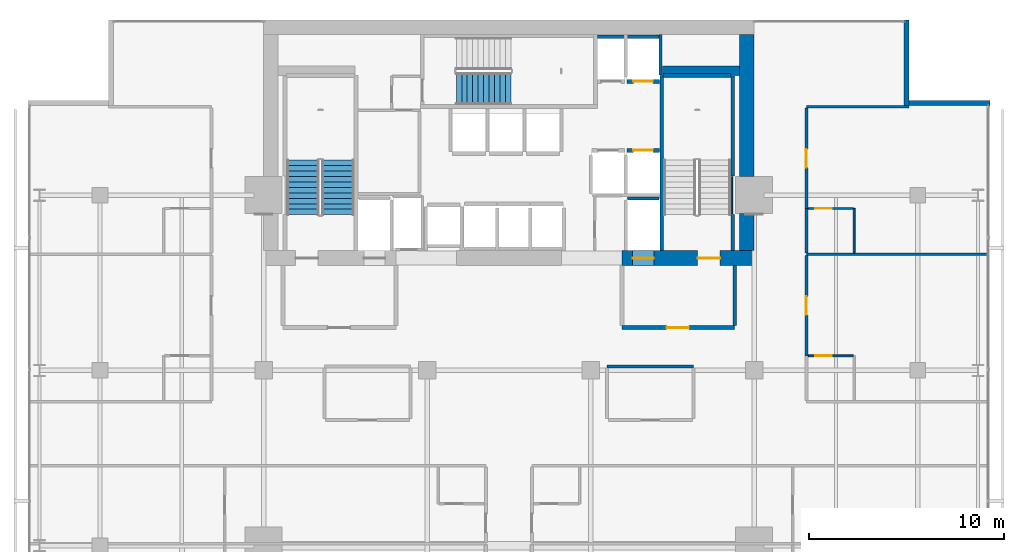
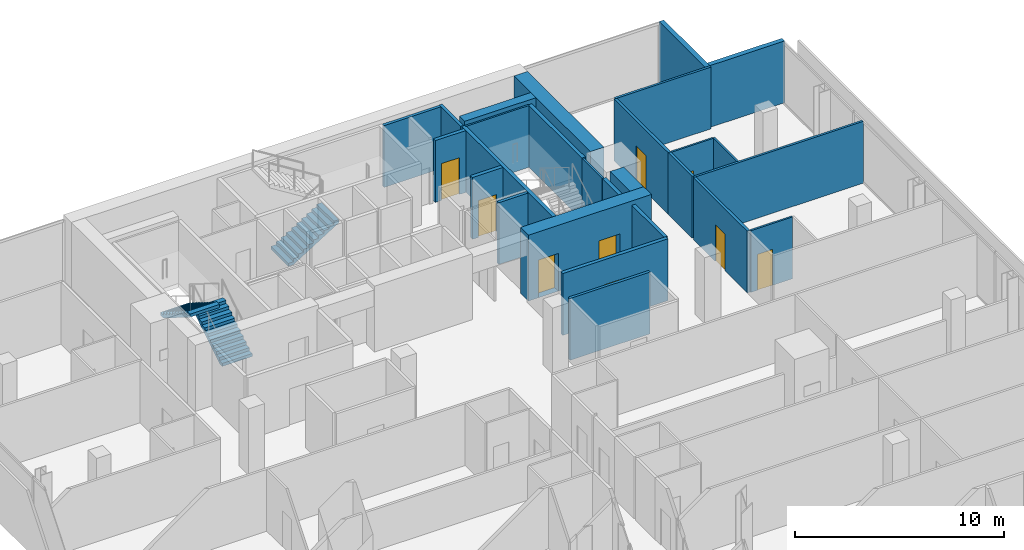
# One storey, part 31 of 34: 27 walls, 9 doors, 3 stair flights, 9 openings, 2 elements without a shape of their own.
"""IFC4 building model written with IfcOpenShell, lengths in metres."""

from ifc_helpers import new_model, si_unit, direction, frame, frame_2d, origin, place, context, subcontext, project, spatial, polyline, rectangle, outline, extrude, material, layer, layer_set, type_object, element, fill, aggregate, save


model = new_model("IFC4")

# Units and contexts
model_context = context("Model", 3, precision=1e-05, world=origin(), true_north=direction((0.0, 1.0)))
body_context = subcontext(model_context, "Body", "Model", "MODEL_VIEW")
ifc_project = project(units=[si_unit("LENGTHUNIT", "METRE"), si_unit("AREAUNIT", "SQUARE_METRE"), si_unit("VOLUMEUNIT", "CUBIC_METRE"), si_unit("PLANEANGLEUNIT", "RADIAN"), si_unit("MASSUNIT", "GRAM", prefix="KILO")], contexts=[model_context])

# Site, building, storey
site_placement = place(None, origin())
site = spatial("IfcSite", under=ifc_project, at=site_placement, CompositionType="ELEMENT")
building_placement = place(site_placement, origin())
building = spatial("IfcBuilding", under=site, at=building_placement, Name="Maruvema Waterfront Hotel and Observation Tower", CompositionType="ELEMENT")
storey_placement = place(building_placement, frame((0.0, 0.0, 131.25)))
storey = spatial("IfcBuildingStorey", under=building, at=storey_placement, Name="L31", CompositionType="ELEMENT", Elevation=131.25)

# Wall
ifc_material_1 = material(Name="Twin-stud acoustic gypsum drywall", Category="gypsum")
ifc_layer_1 = layer(ifc_material_1, 0.14990234375, Name="Acoustic Corridor and Suite Demising Wall 150 mm")
ifc_layer_set_1 = layer_set([ifc_layer_1], Name="Twin-stud acoustic gypsum drywall")
wall_type_1 = type_object("IfcWallType", Name="Acoustic Corridor and Suite Demising Wall 150 mm", PredefinedType="PARTITIONING", material=ifc_layer_set_1)
wall_1_placement = place(storey_placement, frame((42.85009765625, 36.199951171875, 0.0), z_axis=(0.0, 0.0, 1.0), x_axis=(1.0, 0.0, 0.0)))
element("IfcWall", 1, at=wall_1_placement, inside=storey, type_object=wall_type_1, Name="L31 L31-M2 Back Wall 021", PredefinedType="PARTITIONING", context=body_context, shape_type="SweptSolid", body=[
    extrude(rectangle(XDim=4.429931640625, YDim=0.14990234375, at=frame_2d((2.21484375, 0.0))), origin(), (0.0, 0.0, 1.0), 3.610107421875),
])

# Wall, opening, door
wall_2_placement = place(storey_placement, frame((53.080078125, 36.75, 0.0), z_axis=(0.0, 0.0, 1.0), x_axis=(0.0, 1.0, 0.0)))
wall_2 = element("IfcWall", 2, at=wall_2_placement, inside=storey, type_object=wall_type_1, Name="L31 Room L31-NE1 Corridor Wall 120", PredefinedType="PARTITIONING", context=body_context, shape_type="SweptSolid", body=[
    extrude(rectangle(XDim=5.15869140625, YDim=0.14990234375, at=frame_2d((2.579345703125, 0.0))), origin(), (0.0, 0.0, 1.0), 3.610107421875),
])
opening_1_placement = place(wall_2_placement, frame((2.1044921875, 0.0, 0.0)))
opening_1 = element("IfcOpeningElement", 3, at=opening_1_placement, cuts=wall_2, Name="Opening DR-095", PredefinedType="OPENING", context=body_context, shape_type="SweptSolid", body=[
    extrude(rectangle(XDim=0.949951171875, YDim=2.14990234375, at=frame_2d((0.47509765625, 1.074951171875))), frame((0.0, 0.0849609375, 0.0), z_axis=(0.0, -1.0, 0.0), x_axis=(1.0, 0.0, 0.0)), (0.0, 0.0, 1.0), 0.169921875),
])
ifc_material_2 = material(Name="Acoustic solid-core hardwood timber leaf", Category="wood")
door_type_1 = type_object("IfcDoorType", Name="Guestroom Entrance Fire Door 950x2150 mm", OperationType="NOTDEFINED", PredefinedType="DOOR", material=ifc_material_2)
door_1_placement = place(opening_1_placement, frame((0.949951171875, 0.0, 0.0), z_axis=(0.0, 0.0, 1.0), x_axis=(-1.0, 0.0, 0.0)))
door_1 = element("IfcDoor", 4, at=door_1_placement, inside=storey, type_object=door_type_1, Name="L31 Room L31-NE1 Entrance Door", OperationType="SINGLE_SWING_RIGHT", OverallHeight=2.14990234375, OverallWidth=0.949951171875, PredefinedType="DOOR", context=body_context, shape_type="SweptSolid", body=[
    extrude(rectangle(XDim=0.949951171875, YDim=2.14990234375, at=frame_2d((0.47509765625, 1.074951171875))), frame((0.0, 0.02490234375, 0.0), z_axis=(0.0, -1.0, 0.0), x_axis=(1.0, 0.0, 0.0)), (0.0, 0.0, 1.0), 0.050048828125),
])
fill(opening_1, door_1)

# Wall
wall_3_placement = place(storey_placement, frame((53.080078125, 42.02880859375, 0.0), z_axis=(0.0, 0.0, 1.0), x_axis=(0.0, 1.0, 0.0)))
element("IfcWall", 5, at=wall_3_placement, inside=storey, type_object=wall_type_1, Name="L31 Bath L31-NE2 Wall 129", PredefinedType="PARTITIONING", context=body_context, shape_type="SweptSolid", body=[
    extrude(rectangle(XDim=2.2900390625, YDim=0.14990234375, at=frame_2d((1.14501953125, 0.0))), origin(), (0.0, 0.0, 1.0), 3.610107421875),
])

# Wall, opening, door
wall_4_placement = place(storey_placement, frame((53.080078125, 44.31884765625, 0.0), z_axis=(0.0, 0.0, 1.0), x_axis=(0.0, 1.0, 0.0)))
wall_4 = element("IfcWall", 6, at=wall_4_placement, inside=storey, type_object=wall_type_1, Name="L31 Room L31-NE2 Corridor Wall 130", PredefinedType="PARTITIONING", context=body_context, shape_type="SweptSolid", body=[
    extrude(rectangle(XDim=5.15869140625, YDim=0.14990234375, at=frame_2d((2.579345703125, 0.0))), origin(), (0.0, 0.0, 1.0), 3.610107421875),
])
opening_2_placement = place(wall_4_placement, frame((2.104248046875, 0.0, 0.0)))
opening_2 = element("IfcOpeningElement", 7, at=opening_2_placement, cuts=wall_4, Name="Opening DR-095", PredefinedType="OPENING", context=body_context, shape_type="SweptSolid", body=[
    extrude(rectangle(XDim=0.949951171875, YDim=2.14990234375, at=frame_2d((0.47509765625, 1.074951171875))), frame((0.0, 0.0849609375, 0.0), z_axis=(0.0, -1.0, 0.0), x_axis=(1.0, 0.0, 0.0)), (0.0, 0.0, 1.0), 0.169921875),
])
door_2_placement = place(opening_2_placement, frame((0.949951171875, 0.0, 0.0), z_axis=(0.0, 0.0, 1.0), x_axis=(-1.0, 0.0, 0.0)))
door_2 = element("IfcDoor", 8, at=door_2_placement, inside=storey, type_object=door_type_1, Name="L31 Room L31-NE2 Entrance Door", OperationType="SINGLE_SWING_RIGHT", OverallHeight=2.14990234375, OverallWidth=0.949951171875, PredefinedType="DOOR", context=body_context, shape_type="SweptSolid", body=[
    extrude(rectangle(XDim=0.949951171875, YDim=2.14990234375, at=frame_2d((0.47509765625, 1.074951171875))), frame((0.0, 0.02490234375, 0.0), z_axis=(0.0, -1.0, 0.0), x_axis=(1.0, 0.0, 0.0)), (0.0, 0.0, 1.0), 0.050048828125),
])
fill(opening_2, door_2)

# Walls
ifc_material_3 = material(Name="Precast concrete C45/55", Category="concrete")
ifc_layer_2 = layer(ifc_material_3, 0.199951171875, Name="Core Shaft and Stairwell Enclosure Wall 200 mm")
ifc_layer_set_2 = layer_set([ifc_layer_2], Name="Precast concrete C45/55")
wall_type_2 = type_object("IfcWallType", Name="Core Shaft and Stairwell Enclosure Wall 200 mm", PredefinedType="SOLIDWALL", material=ifc_layer_set_2)
wall_5_placement = place(storey_placement, frame((45.64990234375, 42.14990234375, 0.0), z_axis=(0.0, 0.0, 1.0), x_axis=(0.0, 1.0, 0.0)))
element("IfcWall", 9, at=wall_5_placement, inside=storey, type_object=wall_type_2, Name="L31 Stairwell ST-03 West Shaft Wall", PredefinedType="SOLIDWALL", context=body_context, shape_type="SweptSolid", body=[
    extrude(rectangle(XDim=9.0, YDim=0.199951171875, at=frame_2d((4.5, 0.0))), origin(), (0.0, 0.0, 1.0), 3.610107421875),
])
wall_6_placement = place(storey_placement, frame((49.300048828125, 42.14990234375, 0.0), z_axis=(0.0, 0.0, 1.0), x_axis=(0.0, 1.0, 0.0)))
element("IfcWall", 10, at=wall_6_placement, inside=storey, type_object=wall_type_2, Name="L31 Stairwell ST-03 Shaft Lining Wall", PredefinedType="SOLIDWALL", context=body_context, shape_type="SweptSolid", body=[
    extrude(rectangle(XDim=1.8701171875, YDim=0.199951171875, at=frame_2d((0.93505859375, 0.0))), origin(), (0.0, 0.0, 1.0), 3.610107421875),
])
wall_7_placement = place(storey_placement, frame((49.300048828125, 45.97998046875, 0.0), z_axis=(0.0, 0.0, 1.0), x_axis=(0.0, 1.0, 0.0)))
element("IfcWall", 11, at=wall_7_placement, inside=storey, type_object=wall_type_2, Name="L31 Stairwell ST-03 Shaft Lining Wall", PredefinedType="SOLIDWALL", context=body_context, shape_type="SweptSolid", body=[
    extrude(rectangle(XDim=5.14013671875, YDim=0.199951171875, at=frame_2d((2.570068359375, 0.0))), origin(), (0.0, 0.0, 1.0), 3.610107421875),
])
wall_8_placement = place(storey_placement, frame((45.719970703125, 51.14990234375, 0.0), z_axis=(0.0, 0.0, 1.0), x_axis=(1.0, 0.0, 0.0)))
element("IfcWall", 12, at=wall_8_placement, inside=storey, type_object=wall_type_2, Name="L31 Stairwell ST-03 Shaft Lining Wall", PredefinedType="SOLIDWALL", context=body_context, shape_type="SweptSolid", body=[
    extrude(rectangle(XDim=3.5, YDim=0.199951171875, at=frame_2d((1.75, 0.0))), origin(), (0.0, 0.0, 1.0), 3.610107421875),
])

# Wall, opening, door
wall_9_placement = place(storey_placement, frame((43.860107421875, 47.300048828125, 0.0), z_axis=(0.0, 0.0, 1.0), x_axis=(1.0, 0.0, 0.0)))
wall_9 = element("IfcWall", 13, at=wall_9_placement, inside=storey, type_object=wall_type_2, Name="L31 Lift LF-06 Hoistway Front Wall", PredefinedType="SOLIDWALL", context=body_context, shape_type="SweptSolid", body=[
    extrude(rectangle(XDim=1.679931640625, YDim=0.199951171875, at=frame_2d((0.83984375, 0.0))), origin(), (0.0, 0.0, 1.0), 3.610107421875),
])
opening_3_placement = place(wall_9_placement, frame((0.340087890625, 0.0, 0.0)))
opening_3 = element("IfcOpeningElement", 14, at=opening_3_placement, cuts=wall_9, Name="Opening LD-01", PredefinedType="OPENING", context=body_context, shape_type="SweptSolid", body=[
    extrude(rectangle(XDim=1.0, YDim=2.14990234375, at=frame_2d((0.5, 1.074951171875))), frame((0.0, 0.10986328125, 0.0), z_axis=(0.0, -1.0, 0.0), x_axis=(1.0, 0.0, 0.0)), (0.0, 0.0, 1.0), 0.219970703125),
])
ifc_material_4 = material(Name="Brushed stainless steel Grade 316", Category="steel")
door_type_2 = type_object("IfcDoorType", Name="Passenger Lift Sliding Landing Door 1000x2150 mm", OperationType="SLIDING_TO_LEFT", PredefinedType="DOOR", material=ifc_material_4)
door_3_placement = place(opening_3_placement, origin())
door_3 = element("IfcDoor", 15, at=door_3_placement, inside=storey, type_object=door_type_2, Name="L31 Lift LF-06 Sliding Landing Door", OperationType="SLIDING_TO_LEFT", OverallHeight=2.14990234375, OverallWidth=1.0, PredefinedType="DOOR", context=body_context, shape_type="SweptSolid", body=[
    extrude(rectangle(XDim=1.0, YDim=2.14990234375, at=frame_2d((0.5, 1.074951171875))), frame((0.0, 0.02490234375, 0.0), z_axis=(0.0, -1.0, 0.0), x_axis=(1.0, 0.0, 0.0)), (0.0, 0.0, 1.0), 0.050048828125),
])
fill(opening_3, door_3)

wall_10_placement = place(storey_placement, frame((43.860107421875, 50.85009765625, 0.0), z_axis=(0.0, 0.0, 1.0), x_axis=(1.0, 0.0, 0.0)))
wall_10 = element("IfcWall", 16, at=wall_10_placement, inside=storey, type_object=wall_type_2, Name="L31 Lift LF-08 Hoistway Front Wall", PredefinedType="SOLIDWALL", context=body_context, shape_type="SweptSolid", body=[
    extrude(rectangle(XDim=1.679931640625, YDim=0.199951171875, at=frame_2d((0.83984375, 0.0))), origin(), (0.0, 0.0, 1.0), 3.610107421875),
])
opening_4_placement = place(wall_10_placement, frame((0.340087890625, 0.0, 0.0)))
opening_4 = element("IfcOpeningElement", 17, at=opening_4_placement, cuts=wall_10, Name="Opening LD-01", PredefinedType="OPENING", context=body_context, shape_type="SweptSolid", body=[
    extrude(rectangle(XDim=1.0, YDim=2.14990234375, at=frame_2d((0.5, 1.074951171875))), frame((0.0, 0.10986328125, 0.0), z_axis=(0.0, -1.0, 0.0), x_axis=(1.0, 0.0, 0.0)), (0.0, 0.0, 1.0), 0.219970703125),
])
door_4_placement = place(opening_4_placement, frame((1.0, 0.0, 0.0), z_axis=(0.0, 0.0, 1.0), x_axis=(-1.0, 0.0, 0.0)))
door_4 = element("IfcDoor", 18, at=door_4_placement, inside=storey, type_object=door_type_2, Name="L31 Lift LF-08 Sliding Landing Door", OperationType="SLIDING_TO_LEFT", OverallHeight=2.14990234375, OverallWidth=1.0, PredefinedType="DOOR", context=body_context, shape_type="SweptSolid", body=[
    extrude(rectangle(XDim=1.0, YDim=2.14990234375, at=frame_2d((0.5, 1.074951171875))), frame((0.0, 0.02490234375, 0.0), z_axis=(0.0, -1.0, 0.0), x_axis=(1.0, 0.0, 0.0)), (0.0, 0.0, 1.0), 0.050048828125),
])
fill(opening_4, door_4)

# Wall
ifc_material_5 = material(Name="Concrete C70/85", Category="concrete")
ifc_layer_3 = layer(ifc_material_5, 0.5, Name="Core Shear Wall 500 mm")
ifc_layer_set_3 = layer_set([ifc_layer_3], Name="Concrete C70/85")
wall_type_3 = type_object("IfcWallType", Name="Core Shear Wall 500 mm", PredefinedType="SHEAR", material=ifc_layer_set_3)
wall_11_placement = place(storey_placement, frame((45.699951171875, 51.39990234375, 0.0), z_axis=(0.0, 0.0, 1.0), x_axis=(1.0, 0.0, 0.0)))
element("IfcWall", 19, at=wall_11_placement, inside=storey, type_object=wall_type_3, Name="L31 Internal Core Shear Wall NE 500 mm", PredefinedType="SHEAR", context=body_context, shape_type="SweptSolid", body=[
    extrude(rectangle(XDim=3.949951171875, YDim=0.5, at=frame_2d((1.97509765625, 0.0))), origin(), (0.0, 0.0, 1.0), 3.85009765625),
])

# Wall, openings, doors
ifc_material_6 = material(Name="Concrete C70/85", Category="concrete")
ifc_layer_4 = layer(ifc_material_6, 0.75, Name="Core Shear Wall 750 mm")
ifc_layer_set_4 = layer_set([ifc_layer_4], Name="Concrete C70/85")
wall_type_4 = type_object("IfcWallType", Name="Core Shear Wall 750 mm", PredefinedType="SHEAR", material=ifc_layer_set_4)
wall_12_placement = place(storey_placement, frame((43.60009765625, 41.77490234375, 0.0), z_axis=(0.0, 0.0, 1.0), x_axis=(1.0, 0.0, 0.0)))
wall_12 = element("IfcWall", 20, at=wall_12_placement, inside=storey, type_object=wall_type_4, Name="L31 South-East Core Shear Wall", PredefinedType="SHEAR", context=body_context, shape_type="SweptSolid", body=[
    extrude(rectangle(XDim=6.7998046875, YDim=0.75, at=frame_2d((3.39990234375, 0.0))), origin(), (0.0, 0.0, 1.0), 3.85009765625),
])
opening_5_placement = place(wall_12_placement, frame((3.89990234375, 0.0, 0.0)))
opening_5 = element("IfcOpeningElement", 21, at=opening_5_placement, cuts=wall_12, Name="Opening SD-01", PredefinedType="OPENING", context=body_context, shape_type="SweptSolid", body=[
    extrude(rectangle(XDim=1.14990234375, YDim=2.14990234375, at=frame_2d((0.574951171875, 1.074951171875))), frame((0.0, 0.385009765625, 0.0), z_axis=(0.0, -1.0, 0.0), x_axis=(1.0, 0.0, 0.0)), (0.0, 0.0, 1.0), 0.77001953125),
])
opening_6_placement = place(wall_12_placement, frame((0.550048828125, 0.0, 0.0)))
opening_6 = element("IfcOpeningElement", 22, at=opening_6_placement, cuts=wall_12, Name="Opening LD-03", PredefinedType="OPENING", context=body_context, shape_type="SweptSolid", body=[
    extrude(rectangle(XDim=1.10009765625, YDim=2.199951171875, at=frame_2d((0.550048828125, 1.10009765625))), frame((0.0, 0.385009765625, 0.0), z_axis=(0.0, -1.0, 0.0), x_axis=(1.0, 0.0, 0.0)), (0.0, 0.0, 1.0), 0.77001953125),
])
ifc_material_7 = material(Name="Fire-rated galvanised steel leaf", Category="steel")
door_type_3 = type_object("IfcDoorType", Name="Exit Stair Fire Door 1150x2150 mm", OperationType="NOTDEFINED", PredefinedType="DOOR", material=ifc_material_7)
door_5_placement = place(opening_5_placement, origin())
door_5 = element("IfcDoor", 23, at=door_5_placement, inside=storey, type_object=door_type_3, Name="L31 Exit Stair ST-03 Fire Door", OperationType="SINGLE_SWING_RIGHT", OverallHeight=2.14990234375, OverallWidth=1.14990234375, PredefinedType="DOOR", context=body_context, shape_type="SweptSolid", body=[
    extrude(rectangle(XDim=1.14990234375, YDim=2.14990234375, at=frame_2d((0.574951171875, 1.074951171875))), frame((0.0, 0.02490234375, 0.0), z_axis=(0.0, -1.0, 0.0), x_axis=(1.0, 0.0, 0.0)), (0.0, 0.0, 1.0), 0.050048828125),
])
fill(opening_5, door_5)
ifc_material_8 = material(Name="Brushed stainless steel Grade 316", Category="steel")
door_type_4 = type_object("IfcDoorType", Name="Firefighting Lift Sliding Landing Door 1100x2200 mm", OperationType="SLIDING_TO_LEFT", PredefinedType="DOOR", material=ifc_material_8)
door_6_placement = place(opening_6_placement, frame((1.10009765625, 0.0, 0.0), z_axis=(0.0, 0.0, 1.0), x_axis=(-1.0, 0.0, 0.0)))
door_6 = element("IfcDoor", 24, at=door_6_placement, inside=storey, type_object=door_type_4, Name="L31 Firefighting Lift FL-02 Landing Door", OperationType="SLIDING_TO_LEFT", OverallHeight=2.199951171875, OverallWidth=1.10009765625, PredefinedType="DOOR", context=body_context, shape_type="SweptSolid", body=[
    extrude(rectangle(XDim=1.10009765625, YDim=2.199951171875, at=frame_2d((0.550048828125, 1.10009765625))), frame((0.0, 0.02490234375, 0.0), z_axis=(0.0, -1.0, 0.0), x_axis=(1.0, 0.0, 0.0)), (0.0, 0.0, 1.0), 0.050048828125),
])
fill(opening_6, door_6)

# Walls
wall_13_placement = place(storey_placement, frame((50.02490234375, 42.14990234375, 0.0), z_axis=(0.0, 0.0, 1.0), x_axis=(0.0, 1.0, 0.0)))
element("IfcWall", 25, at=wall_13_placement, inside=storey, type_object=wall_type_4, Name="L31 East-South Core Shear Wall", PredefinedType="SHEAR", context=body_context, shape_type="SweptSolid", body=[
    extrude(rectangle(XDim=1.900146484375, YDim=0.75, at=frame_2d((0.9501953125, 0.0))), origin(), (0.0, 0.0, 1.0), 3.85009765625),
])
wall_14_placement = place(storey_placement, frame((50.02490234375, 45.949951171875, 0.0), z_axis=(0.0, 0.0, 1.0), x_axis=(0.0, 1.0, 0.0)))
element("IfcWall", 26, at=wall_14_placement, inside=storey, type_object=wall_type_4, Name="L31 East-North Core Shear Wall", PredefinedType="SHEAR", context=body_context, shape_type="SweptSolid", body=[
    extrude(rectangle(XDim=7.300048828125, YDim=0.75, at=frame_2d((3.64990234375, 0.0))), origin(), (0.0, 0.0, 1.0), 3.85009765625),
])

# Wall, opening, door
ifc_material_9 = material(Name="Moisture-resistant cement-board drywall", Category="gypsum")
ifc_layer_5 = layer(ifc_material_9, 0.10009765625, Name="En-Suite Moisture-Resistant Partition 100 mm")
ifc_layer_set_5 = layer_set([ifc_layer_5], Name="Moisture-resistant cement-board drywall")
wall_type_5 = type_object("IfcWallType", Name="En-Suite Moisture-Resistant Partition 100 mm", PredefinedType="PARTITIONING", material=ifc_layer_set_5)
wall_15_placement = place(storey_placement, frame((53.179931640625, 36.75, 0.0), z_axis=(0.0, 0.0, 1.0), x_axis=(1.0, 0.0, 0.0)))
wall_15 = element("IfcWall", 27, at=wall_15_placement, inside=storey, type_object=wall_type_5, Name="L31 En-Suite L31-NE1 N 122", PredefinedType="PARTITIONING", context=body_context, shape_type="SweptSolid", body=[
    extrude(rectangle(XDim=2.300048828125, YDim=0.10009765625, at=frame_2d((1.14990234375, 0.0))), origin(), (0.0, 0.0, 1.0), 3.610107421875),
])
opening_7_placement = place(wall_15_placement, frame((0.35009765625, 0.0, 0.0)))
opening_7 = element("IfcOpeningElement", 28, at=opening_7_placement, cuts=wall_15, Name="Opening DR-085", PredefinedType="OPENING", context=body_context, shape_type="SweptSolid", body=[
    extrude(rectangle(XDim=0.85009765625, YDim=2.10009765625, at=frame_2d((0.425048828125, 1.050048828125))), frame((0.0, 0.06005859375, 0.0), z_axis=(0.0, -1.0, 0.0), x_axis=(1.0, 0.0, 0.0)), (0.0, 0.0, 1.0), 0.1201171875),
])
ifc_material_10 = material(Name="Moisture-resistant solid timber leaf", Category="wood")
door_type_5 = type_object("IfcDoorType", Name="En-Suite Bathroom Door 850x2100 mm", OperationType="NOTDEFINED", PredefinedType="DOOR", material=ifc_material_10)
door_7_placement = place(opening_7_placement, origin())
door_7 = element("IfcDoor", 29, at=door_7_placement, inside=storey, type_object=door_type_5, Name="L31 En-Suite L31-NE1 Door", OperationType="SINGLE_SWING_LEFT", OverallHeight=2.10009765625, OverallWidth=0.85009765625, PredefinedType="DOOR", context=body_context, shape_type="SweptSolid", body=[
    extrude(rectangle(XDim=0.85009765625, YDim=2.10009765625, at=frame_2d((0.425048828125, 1.050048828125))), frame((0.0, 0.02490234375, 0.0), z_axis=(0.0, -1.0, 0.0), x_axis=(1.0, 0.0, 0.0)), (0.0, 0.0, 1.0), 0.050048828125),
])
fill(opening_7, door_7)

# Wall
wall_16_placement = place(storey_placement, frame((55.530029296875, 42.02880859375, 0.0), z_axis=(0.0, 0.0, 1.0), x_axis=(0.0, 1.0, 0.0)))
element("IfcWall", 30, at=wall_16_placement, inside=storey, type_object=wall_type_5, Name="L31 En-Suite L31-NE2 E 131", PredefinedType="PARTITIONING", context=body_context, shape_type="SweptSolid", body=[
    extrude(rectangle(XDim=2.2900390625, YDim=0.10009765625, at=frame_2d((1.14501953125, 0.0))), origin(), (0.0, 0.0, 1.0), 3.610107421875),
])

# Wall, opening, door
wall_17_placement = place(storey_placement, frame((53.179931640625, 44.31884765625, 0.0), z_axis=(0.0, 0.0, 1.0), x_axis=(1.0, 0.0, 0.0)))
wall_17 = element("IfcWall", 31, at=wall_17_placement, inside=storey, type_object=wall_type_5, Name="L31 En-Suite L31-NE2 N 132", PredefinedType="PARTITIONING", context=body_context, shape_type="SweptSolid", body=[
    extrude(rectangle(XDim=2.300048828125, YDim=0.10009765625, at=frame_2d((1.14990234375, 0.0))), origin(), (0.0, 0.0, 1.0), 3.610107421875),
])
opening_8_placement = place(wall_17_placement, frame((0.35009765625, 0.0, 0.0)))
opening_8 = element("IfcOpeningElement", 32, at=opening_8_placement, cuts=wall_17, Name="Opening DR-085", PredefinedType="OPENING", context=body_context, shape_type="SweptSolid", body=[
    extrude(rectangle(XDim=0.85009765625, YDim=2.10009765625, at=frame_2d((0.425048828125, 1.050048828125))), frame((0.0, 0.06005859375, 0.0), z_axis=(0.0, -1.0, 0.0), x_axis=(1.0, 0.0, 0.0)), (0.0, 0.0, 1.0), 0.1201171875),
])
door_8_placement = place(opening_8_placement, origin())
door_8 = element("IfcDoor", 33, at=door_8_placement, inside=storey, type_object=door_type_5, Name="L31 En-Suite L31-NE2 Door", OperationType="SINGLE_SWING_LEFT", OverallHeight=2.10009765625, OverallWidth=0.85009765625, PredefinedType="DOOR", context=body_context, shape_type="SweptSolid", body=[
    extrude(rectangle(XDim=0.85009765625, YDim=2.10009765625, at=frame_2d((0.425048828125, 1.050048828125))), frame((0.0, 0.02490234375, 0.0), z_axis=(0.0, -1.0, 0.0), x_axis=(1.0, 0.0, 0.0)), (0.0, 0.0, 1.0), 0.050048828125),
])
fill(opening_8, door_8)

# Walls
ifc_material_11 = material(Name="Precast concrete C45/55 with honed Pernambuco granite facing", Category="masonry")
ifc_layer_6 = layer(ifc_material_11, 0.260009765625, Name="Exterior Granite Clad Spandrel and Pier Wall 260 mm")
ifc_layer_set_6 = layer_set([ifc_layer_6], Name="Precast concrete C45/55 with honed Pernambuco granite facing")
wall_type_6 = type_object("IfcWallType", Name="Exterior Granite Clad Spandrel and Pier Wall 260 mm", PredefinedType="SOLIDWALL", material=ifc_layer_set_6)
for number, where, z_axis, x_axis, name in (
    (34, (58.22998046875, 54.0, 0.0), (0.0, 0.0, 1.0), (0.0, -1.0, 0.0), "L31 Corner Notch Granite Pier Wall NE1"),
    (35, (58.10009765625, 49.72998046875, 0.0), (0.0, 0.0, 1.0), (1.0, 0.0, 0.0), "L31 Corner Notch Granite Pier Wall NE2"),
):
    element("IfcWall", number, at=place(storey_placement, frame(where, z_axis=z_axis, x_axis=x_axis)), inside=storey, type_object=wall_type_6, Name=name, PredefinedType="SOLIDWALL", context=body_context, shape_type="SweptSolid", body=[
        extrude(rectangle(XDim=4.39990234375, YDim=0.260009765625, at=frame_2d((2.199951171875, 0.0))), origin(), (0.0, 0.0, 1.0), 3.610107421875),
    ])

# Wall, opening, door
ifc_material_12 = material(Name="Autoclaved cellular concrete blockwork", Category="masonry")
ifc_layer_7 = layer(ifc_material_12, 0.199951171875, Name="Fire Compartment Masonry Wall 200 mm")
ifc_layer_set_7 = layer_set([ifc_layer_7], Name="Autoclaved cellular concrete blockwork")
wall_type_7 = type_object("IfcWallType", Name="Fire Compartment Masonry Wall 200 mm", PredefinedType="PARTITIONING", material=ifc_layer_set_7)
wall_18_placement = place(storey_placement, frame((43.60009765625, 38.199951171875, 0.0), z_axis=(0.0, 0.0, 1.0), x_axis=(1.0, 0.0, 0.0)))
wall_18 = element("IfcWall", 36, at=wall_18_placement, inside=storey, type_object=wall_type_7, Name="L31 FFL East South Wall 004", PredefinedType="PARTITIONING", context=body_context, shape_type="SweptSolid", body=[
    extrude(rectangle(XDim=5.7998046875, YDim=0.199951171875, at=frame_2d((2.89990234375, 0.0))), origin(), (0.0, 0.0, 1.0), 3.610107421875),
])
opening_9_placement = place(wall_18_placement, frame((2.300048828125, 0.0, 0.0)))
opening_9 = element("IfcOpeningElement", 37, at=opening_9_placement, cuts=wall_18, Name="Opening FD-115", PredefinedType="OPENING", context=body_context, shape_type="SweptSolid", body=[
    extrude(rectangle(XDim=1.14990234375, YDim=2.14990234375, at=frame_2d((0.574951171875, 1.074951171875))), frame((0.0, 0.10986328125, 0.0), z_axis=(0.0, -1.0, 0.0), x_axis=(1.0, 0.0, 0.0)), (0.0, 0.0, 1.0), 0.219970703125),
])
ifc_material_13 = material(Name="Fire-rated galvanised steel and vision glass", Category="steel")
door_type_6 = type_object("IfcDoorType", Name="Firefighting Lobby Fire Door 1150x2150 mm", OperationType="NOTDEFINED", PredefinedType="DOOR", material=ifc_material_13)
door_9_placement = place(opening_9_placement, frame((1.14990234375, 0.0, 0.0), z_axis=(0.0, 0.0, 1.0), x_axis=(-1.0, 0.0, 0.0)))
door_9 = element("IfcDoor", 38, at=door_9_placement, inside=storey, type_object=door_type_6, Name="L31 Firefighting Lobby East Door", OperationType="SINGLE_SWING_RIGHT", OverallHeight=2.14990234375, OverallWidth=1.14990234375, PredefinedType="DOOR", context=body_context, shape_type="SweptSolid", body=[
    extrude(rectangle(XDim=1.14990234375, YDim=2.14990234375, at=frame_2d((0.574951171875, 1.074951171875))), frame((0.0, 0.02490234375, 0.0), z_axis=(0.0, -1.0, 0.0), x_axis=(1.0, 0.0, 0.0)), (0.0, 0.0, 1.0), 0.050048828125),
])
fill(opening_9, door_9)

# Walls
wall_19_placement = place(storey_placement, frame((49.39990234375, 38.31005859375, 0.0), z_axis=(0.0, 0.0, 1.0), x_axis=(0.0, 1.0, 0.0)))
element("IfcWall", 39, at=wall_19_placement, inside=storey, type_object=wall_type_7, Name="L31 FFL East East Wall 006", PredefinedType="PARTITIONING", context=body_context, shape_type="SweptSolid", body=[
    extrude(rectangle(XDim=3.06982421875, YDim=0.199951171875, at=frame_2d((1.534912109375, 0.0))), origin(), (0.0, 0.0, 1.0), 3.610107421875),
])
ifc_material_14 = material(Name="Acoustic gypsum plasterboard drywall", Category="gypsum")
ifc_layer_8 = layer(ifc_material_14, 0.125, Name="Guestroom Acoustic Demising Wall 125 mm")
ifc_layer_set_8 = layer_set([ifc_layer_8], Name="Acoustic gypsum plasterboard drywall")
wall_type_8 = type_object("IfcWallType", Name="Guestroom Acoustic Demising Wall 125 mm", PredefinedType="PARTITIONING", material=ifc_layer_set_8)
wall_20_placement = place(storey_placement, frame((53.080078125, 49.53759765625, 0.0), z_axis=(0.0, 0.0, 1.0), x_axis=(1.0, 0.0, 0.0)))
element("IfcWall", 40, at=wall_20_placement, inside=storey, type_object=wall_type_8, Name="L31 Z2 NE Top End 114", PredefinedType="PARTITIONING", context=body_context, shape_type="SweptSolid", body=[
    extrude(rectangle(XDim=5.280029296875, YDim=0.125, at=frame_2d((2.64013671875, 0.0))), origin(), (0.0, 0.0, 1.0), 3.610107421875),
])
wall_21_placement = place(storey_placement, frame((53.080078125, 41.96875, 0.0), z_axis=(0.0, 0.0, 1.0), x_axis=(1.0, 0.0, 0.0)))
element("IfcWall", 41, at=wall_21_placement, inside=storey, type_object=wall_type_8, Name="L31 Z2 NE Demising 2 124", PredefinedType="PARTITIONING", context=body_context, shape_type="SweptSolid", body=[
    extrude(rectangle(XDim=9.31982421875, YDim=0.125, at=frame_2d((4.659912109375, 0.0))), origin(), (0.0, 0.0, 1.0), 3.610107421875),
])
ifc_material_15 = material(Name="Precast concrete C45/55", Category="concrete")
ifc_layer_9 = layer(ifc_material_15, 0.159912109375, Name="Lift Hoistway Divider Wall 160 mm")
ifc_layer_set_9 = layer_set([ifc_layer_9], Name="Precast concrete C45/55")
wall_type_9 = type_object("IfcWallType", Name="Lift Hoistway Divider Wall 160 mm", PredefinedType="SOLIDWALL", material=ifc_layer_set_9)
wall_22_placement = place(storey_placement, frame((43.89990234375, 44.830078125, 0.0), z_axis=(0.0, 0.0, 1.0), x_axis=(1.0, 0.0, 0.0)))
element("IfcWall", 42, at=wall_22_placement, inside=storey, type_object=wall_type_9, Name="L31 Lift FL-02 Rear Hoistway Wall", PredefinedType="SOLIDWALL", context=body_context, shape_type="SweptSolid", body=[
    extrude(rectangle(XDim=1.60009765625, YDim=0.159912109375, at=frame_2d((0.800048828125, 0.0))), origin(), (0.0, 0.0, 1.0), 3.610107421875),
])
wall_23_placement = place(storey_placement, frame((45.590087890625, 51.179931640625, 0.0), z_axis=(0.0, 0.0, 1.0), x_axis=(0.0, 1.0, 0.0)))
element("IfcWall", 43, at=wall_23_placement, inside=storey, type_object=wall_type_9, Name="L31 Hoistway Divider Wall", PredefinedType="SOLIDWALL", context=body_context, shape_type="SweptSolid", body=[
    extrude(rectangle(XDim=2.070068359375, YDim=0.159912109375, at=frame_2d((1.03515625, 0.0))), origin(), (0.0, 0.0, 1.0), 3.610107421875),
])
wall_24_placement = place(storey_placement, frame((42.360107421875, 53.139892578125, 0.0), z_axis=(0.0, 0.0, 1.0), x_axis=(1.0, 0.0, 0.0)))
element("IfcWall", 44, at=wall_24_placement, inside=storey, type_object=wall_type_9, Name="L31 Hoistway Divider Wall", PredefinedType="SOLIDWALL", context=body_context, shape_type="SweptSolid", body=[
    extrude(rectangle(XDim=3.139892578125, YDim=0.159912109375, at=frame_2d((1.56982421875, 0.0))), origin(), (0.0, 0.0, 1.0), 3.610107421875),
])
ifc_material_16 = material(Name="Precast concrete C45/55", Category="concrete")
ifc_layer_10 = layer(ifc_material_16, 0.10009765625, Name="Stairwell Stringer Cheek Wall 100 mm")
ifc_layer_set_10 = layer_set([ifc_layer_10], Name="Precast concrete C45/55")
wall_type_10 = type_object("IfcWallType", Name="Stairwell Stringer Cheek Wall 100 mm", PredefinedType="SOLIDWALL", material=ifc_layer_set_10)
wall_25_placement = place(storey_placement, frame((49.248046875, 44.0400390625, 0.0), z_axis=(0.0, 0.0, 1.0), x_axis=(0.0, 1.0, 0.0)))
element("IfcWall", 45, at=wall_25_placement, inside=storey, type_object=wall_type_10, Name="L31 Stairwell ST-03 Mega-Column Cheek Wall", PredefinedType="SOLIDWALL", context=body_context, shape_type="SweptSolid", body=[
    extrude(rectangle(XDim=1.919921875, YDim=0.10009765625, at=frame_2d((0.9599609375, 0.0))), origin(), (0.0, 0.0, 1.0), 3.610107421875),
])

# Stair, stair flights
ifc_material_17 = material(Name="Concrete C50/60", Category="concrete")
stair_type = type_object("IfcStairType", Name="Dogleg Exit Stair 1650 mm (22R x 175.0 mm)", PredefinedType="HALF_TURN_STAIR", material=ifc_material_17)
stair_1_placement = place(storey_placement, origin())
stair_1 = element("IfcStair", 46, at=stair_1_placement, inside=storey, type_object=stair_type, Name="L31 ST-01", PredefinedType="HALF_TURN_STAIR")
ifc_material_18 = material(Name="Concrete C50/60", Category="concrete")
stair_flight_type = type_object("IfcStairFlightType", Name="Reinforced Concrete Stair Flight 1650 mm (11R x 175.0 mm)", PredefinedType="STRAIGHT", material=ifc_material_18)
stair_flight_1_placement = place(storey_placement, frame((29.02490234375, 44.0, 0.0), z_axis=(0.0, 0.0, 1.0), x_axis=(0.0, 1.0, 0.0)))
stair_flight_1 = element("IfcStairFlight", 47, at=stair_flight_1_placement, type_object=stair_flight_type, Name="ST-01 flight 1", NumberOfRisers=11, NumberOfTreads=10, PredefinedType="STRAIGHT", RiserHeight=0.175, TreadLength=0.28, context=body_context, shape_type="SweptSolid", body=[
    extrude(outline(polyline([(0.0, 0.0), (0.0, 0.175048828125), (0.280029296875, 0.175048828125), (0.280029296875, 0.35009765625), (0.56005859375, 0.35009765625), (0.56005859375, 0.52490234375), (0.840087890625, 0.52490234375), (0.840087890625, 0.699951171875), (1.1201171875, 0.699951171875), (1.1201171875, 0.875), (1.39990234375, 0.875), (1.39990234375, 1.050048828125), (1.679931640625, 1.050048828125), (1.679931640625, 1.22509765625), (1.9599609375, 1.22509765625), (1.9599609375, 1.39990234375), (2.239990234375, 1.39990234375), (2.239990234375, 1.574951171875), (2.52001953125, 1.574951171875), (2.52001953125, 1.75), (2.800048828125, 1.75), (2.800048828125, 1.925048828125), (2.800048828125, 1.5732421875), (0.28271484375, 0.0), (0.0, 0.0)])), frame((0.0, 0.824951171875, 0.0), z_axis=(0.0, -1.0, 0.0), x_axis=(1.0, 0.0, 0.0)), (0.0, 0.0, 1.0), 1.64990234375),
])
stair_flight_2_placement = place(storey_placement, frame((27.22509765625, 46.800048828125, 1.925048828125), z_axis=(0.0, 0.0, 1.0), x_axis=(0.0, -1.0, 0.0)))
stair_flight_2 = element("IfcStairFlight", 48, at=stair_flight_2_placement, type_object=stair_flight_type, Name="ST-01 flight 2", NumberOfRisers=11, NumberOfTreads=10, PredefinedType="STRAIGHT", RiserHeight=0.175, TreadLength=0.28, context=body_context, shape_type="SweptSolid", body=[
    extrude(outline(polyline([(0.0, 0.0), (0.0, 0.175048828125), (0.280029296875, 0.175048828125), (0.280029296875, 0.35009765625), (0.56005859375, 0.35009765625), (0.56005859375, 0.52490234375), (0.840087890625, 0.52490234375), (0.840087890625, 0.699951171875), (1.1201171875, 0.699951171875), (1.1201171875, 0.875), (1.39990234375, 0.875), (1.39990234375, 1.050048828125), (1.679931640625, 1.050048828125), (1.679931640625, 1.22509765625), (1.9599609375, 1.22509765625), (1.9599609375, 1.39990234375), (2.239990234375, 1.39990234375), (2.239990234375, 1.574951171875), (2.52001953125, 1.574951171875), (2.52001953125, 1.75), (2.800048828125, 1.75), (2.800048828125, 1.925048828125), (2.800048828125, 1.5732421875), (0.28271484375, 0.0), (0.0, 0.0)])), frame((0.0, 0.824951171875, 0.0), z_axis=(0.0, -1.0, 0.0), x_axis=(1.0, 0.0, 0.0)), (0.0, 0.0, 1.0), 1.64990234375),
])
aggregate(stair_1, [stair_flight_1, stair_flight_2])

# Stair, stair flight
stair_2_placement = place(storey_placement, origin())
stair_2 = element("IfcStair", 49, at=stair_2_placement, inside=storey, type_object=stair_type, Name="L31 ST-02", PredefinedType="HALF_TURN_STAIR")
stair_flight_3_placement = place(storey_placement, frame((35.10009765625, 50.47509765625, 0.0), z_axis=(0.0, 0.0, 1.0), x_axis=(1.0, 0.0, 0.0)))
stair_flight_3 = element("IfcStairFlight", 50, at=stair_flight_3_placement, type_object=stair_flight_type, Name="ST-02 flight 1", NumberOfRisers=11, NumberOfTreads=10, PredefinedType="STRAIGHT", RiserHeight=0.175, TreadLength=0.28, context=body_context, shape_type="SweptSolid", body=[
    extrude(outline(polyline([(0.0, 0.0), (0.0, 0.175048828125), (0.280029296875, 0.175048828125), (0.280029296875, 0.35009765625), (0.56005859375, 0.35009765625), (0.56005859375, 0.52490234375), (0.840087890625, 0.52490234375), (0.840087890625, 0.699951171875), (1.1201171875, 0.699951171875), (1.1201171875, 0.875), (1.39990234375, 0.875), (1.39990234375, 1.050048828125), (1.679931640625, 1.050048828125), (1.679931640625, 1.22509765625), (1.9599609375, 1.22509765625), (1.9599609375, 1.39990234375), (2.239990234375, 1.39990234375), (2.239990234375, 1.574951171875), (2.52001953125, 1.574951171875), (2.52001953125, 1.75), (2.800048828125, 1.75), (2.800048828125, 1.925048828125), (2.800048828125, 1.5732421875), (0.28271484375, 0.0), (0.0, 0.0)])), frame((0.0, 0.824951171875, 0.0), z_axis=(0.0, -1.0, 0.0), x_axis=(1.0, 0.0, 0.0)), (0.0, 0.0, 1.0), 1.64990234375),
])
aggregate(stair_2, [stair_flight_3])

save(model, "model.ifc")
